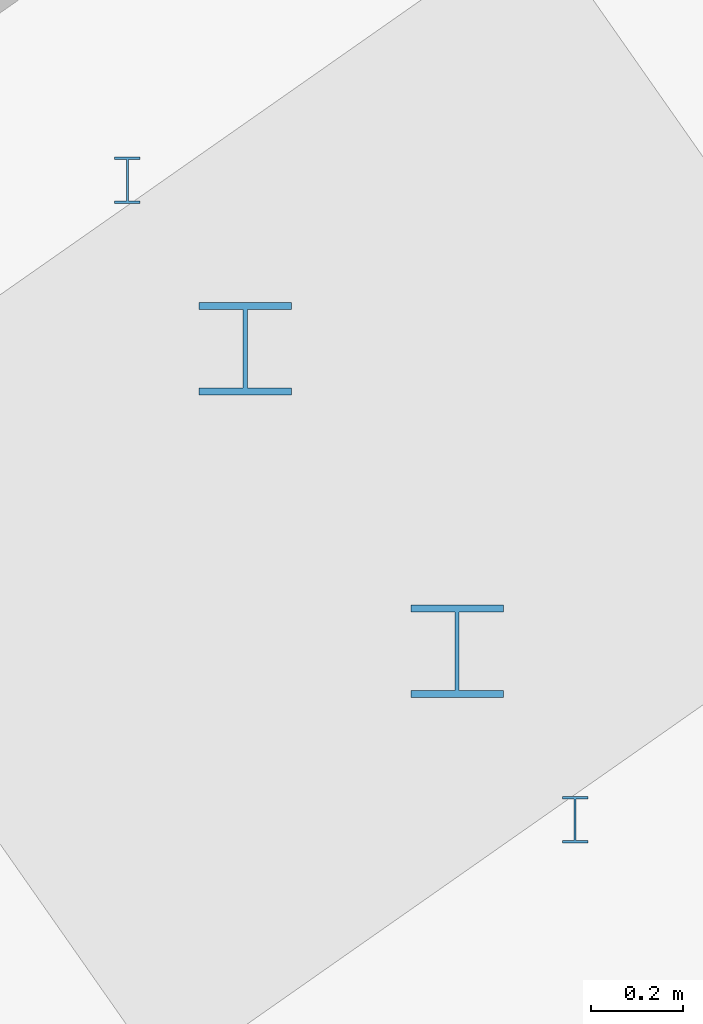
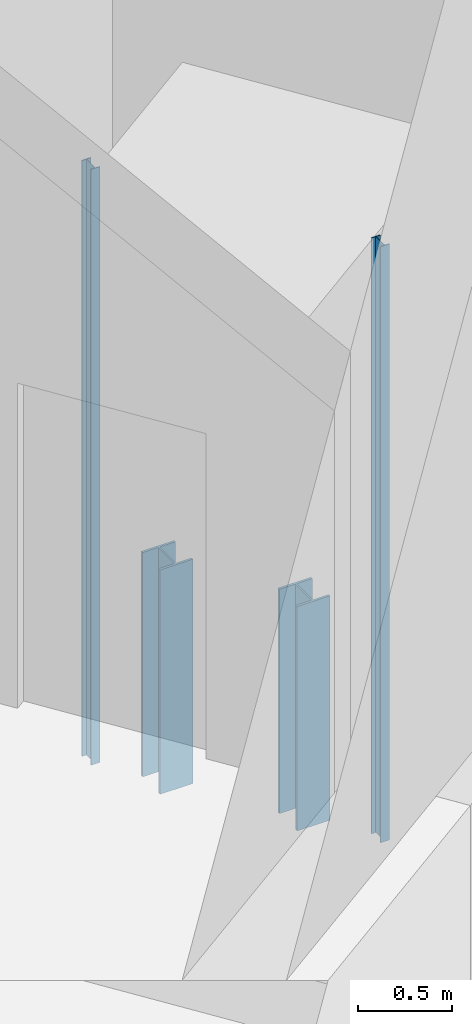
# One storey, part 27 of 65: 4 members.
"""IFC4 building model written with IfcOpenShell, lengths in metres."""

import ifcopenshell
import ifcopenshell.guid

model = None  # the IFC model being written
_history = None  # IfcOwnerHistory: only IFC2X3 demands one
_inside = {}  # id of a spatial element -> (the spatial element, [elements in it])
_under = {}  # id of a project, library or spatial element -> (it, [spatial elements below it])
_declared = {}  # id of a project -> (the project, [libraries it declares])
_typed = {}  # id of a type object -> (the type object, [elements of that type])
_made_of = {}  # id of a material, layer set ... -> (it, [elements and type objects made of it])


def new_model(schema):
    """Start an empty IFC model of exactly this schema.

    Asked for "IFC4X3", IfcOpenShell would pick the latest addendum, in which some entities
    have other attributes; the version numbers below select the first issue.
    IFC2X3 requires an IfcOwnerHistory on every rooted entity: one is made here for all.
    """
    global model, _history
    if schema == "IFC4X3":
        model = ifcopenshell.file(schema_version=(4, 3, 0, 0))
    else:
        model = ifcopenshell.file(schema=schema)
    _inside.clear()
    _under.clear()
    _declared.clear()
    _typed.clear()
    _made_of.clear()
    _history = None
    if model.schema == "IFC2X3":
        org = make("IfcOrganization", Name="unknown")
        user = make(
            "IfcPersonAndOrganization",
            ThePerson=make("IfcPerson", FamilyName="unknown"),
            TheOrganization=org,
        )
        app = make(
            "IfcApplication",
            ApplicationDeveloper=org,
            Version="unknown",
            ApplicationFullName="unknown",
            ApplicationIdentifier="unknown",
        )
        _history = make(
            "IfcOwnerHistory",
            OwningUser=user,
            OwningApplication=app,
            ChangeAction="ADDED",
            CreationDate=0,
        )
    return model


def make(cls, **values):
    """One entity of the class cls with the attributes given. An attribute that is None is left unset."""
    return model.create_entity(
        cls, **{name: value for name, value in values.items() if value is not None}
    )


def rooted(cls, **values):
    """An entity with a GlobalId (a new one), such as an element, a storey or a relation."""
    return make(cls, GlobalId=ifcopenshell.guid.new(), OwnerHistory=_history, **values)


def si_unit(unit_type, name, prefix=None):
    """IfcSIUnit, for example si_unit("LENGTHUNIT", "METRE", prefix="MILLI")."""
    return make("IfcSIUnit", UnitType=unit_type, Prefix=prefix, Name=name)


def assignment(units):
    """IfcUnitAssignment: the units of a project."""
    return None if units is None else make("IfcUnitAssignment", Units=units)


def point(xyz):
    """IfcCartesianPoint."""
    return None if xyz is None else make("IfcCartesianPoint", Coordinates=xyz)


def direction(xyz):
    """IfcDirection."""
    return None if xyz is None else make("IfcDirection", DirectionRatios=xyz)


def frame(location, z_axis=None, x_axis=None):
    """IfcAxis2Placement3D, a coordinate frame: its origin and axes. An axis left out is left unset."""
    return make(
        "IfcAxis2Placement3D",
        Location=point(location),
        Axis=direction(z_axis),
        RefDirection=direction(x_axis),
    )


def frame_2d(location, x_axis=None):
    """IfcAxis2Placement2D, a coordinate frame in the plane: its origin and x axis."""
    return make(
        "IfcAxis2Placement2D", Location=point(location), RefDirection=direction(x_axis)
    )


def origin():
    """The frame at (0, 0, 0) with its axes left unset."""
    return frame((0.0, 0.0, 0.0))


def origin_2d():
    """The frame at (0, 0) in the plane with its x axis left unset."""
    return frame_2d((0.0, 0.0))


def place(relative_to, where):
    """IfcLocalPlacement: puts the frame where relative to a parent placement (None: the world)."""
    return make(
        "IfcLocalPlacement", PlacementRelTo=relative_to, RelativePlacement=where
    )


def context(
    kind, dimensions, precision=None, world=None, true_north=None, identifier=None
):
    """IfcGeometricRepresentationContext, for example the 3D "Model" context."""
    return make(
        "IfcGeometricRepresentationContext",
        ContextIdentifier=identifier,
        ContextType=kind,
        CoordinateSpaceDimension=dimensions,
        Precision=precision,
        WorldCoordinateSystem=world,
        TrueNorth=true_north,
    )


def subcontext(parent, identifier, kind, view, scale=None):
    """IfcGeometricRepresentationSubContext, for example "Body" below "Model"."""
    return make(
        "IfcGeometricRepresentationSubContext",
        ContextIdentifier=identifier,
        ContextType=kind,
        ParentContext=parent,
        TargetScale=scale,
        TargetView=view,
    )


def project(units=None, contexts=None):
    """IfcProject with its units and contexts."""
    return rooted(
        "IfcProject",
        Name="project",
        RepresentationContexts=contexts,
        UnitsInContext=assignment(units),
    )


def spatial(cls, under=None, at=None, **own):
    """A site, building, storey or space (cls), placed at a placement, below another one or the project."""
    s = rooted(cls, ObjectPlacement=at, **own)
    if under is not None:
        _under.setdefault(under.id(), (under, []))[1].append(s)
    return s


def profile(cls, at=None, kind="AREA", **sizes):
    """A parametric profile (cls). Its sizes go by their IFC names, for example OverallWidth=200.0."""
    return make(cls, ProfileType=kind, Position=at, **sizes)


def i_section(**sizes):
    """IfcIShapeProfileDef."""
    return profile("IfcIShapeProfileDef", **sizes)


def extrude(swept, where, along, depth):
    """IfcExtrudedAreaSolid: the profile swept, set in the frame where, extruded along a direction by depth."""
    return make(
        "IfcExtrudedAreaSolid",
        SweptArea=swept,
        Position=where,
        ExtrudedDirection=direction(along),
        Depth=depth,
    )


def shape(context_of_items, identifier, shape_type, items):
    """IfcShapeRepresentation: the items that make up one representation, for example the "Body"."""
    return make(
        "IfcShapeRepresentation",
        ContextOfItems=context_of_items,
        RepresentationIdentifier=identifier,
        RepresentationType=shape_type,
        Items=items,
    )


def material(Name=None, Category=None):
    """IfcMaterial."""
    return make("IfcMaterial", Name=Name, Category=Category)


def material_profile(
    of_material, cross_section, Name=None, Category=None, Priority=None
):
    """IfcMaterialProfile: a cross section and its material."""
    return make(
        "IfcMaterialProfile",
        Name=Name,
        Material=of_material,
        Profile=cross_section,
        Priority=Priority,
        Category=Category,
    )


def profile_set(profiles, Name=None, composite=None):
    """IfcMaterialProfileSet."""
    return make(
        "IfcMaterialProfileSet",
        Name=Name,
        MaterialProfiles=profiles,
        CompositeProfile=composite,
    )


def made_of(thing, what):
    """Note that an element or type object is made of a material, layer set ...; save() writes the relation."""
    if what is not None:
        _made_of.setdefault(what.id(), (what, []))[1].append(thing)
    return thing


def type_object(cls, material=None, **own):
    """A type object (cls), such as IfcWallType, which elements share."""
    return made_of(rooted(cls, **own), material)


def element(
    cls,
    number,
    at=None,
    inside=None,
    cuts=None,
    type_object=None,
    material=None,
    context=None,
    identifier="Body",
    shape_type=None,
    held_by="IfcProductDefinitionShape",
    body=None,
    shapes=None,
    **own,
):
    """One element of the class cls, such as IfcWall. Its Tag is "e" and its number.

    at: its placement. inside: the storey or other place that contains it. cuts: it is an
    opening in that element (IfcRelVoidsElement). A single representation is given by context,
    identifier, shape_type and body (its items); several are given by shapes. held_by: the class
    of the entity that holds the representations. save() writes the other relations.
    """
    e = rooted(cls, Tag="e%d" % number, ObjectPlacement=at, **own)
    if body is not None:
        shapes = [shape(context, identifier, shape_type, body)]
    if shapes is not None:
        e.Representation = make(held_by, Representations=shapes)
    if inside is not None:
        _inside.setdefault(inside.id(), (inside, []))[1].append(e)
    if cuts is not None:
        rooted(
            "IfcRelVoidsElement", RelatingBuildingElement=cuts, RelatedOpeningElement=e
        )
    if type_object is not None:
        _typed.setdefault(type_object.id(), (type_object, []))[1].append(e)
    return made_of(e, material)


def aggregate(whole, parts):
    """IfcRelAggregates: a whole, such as a stair, and the parts it consists of."""
    return rooted("IfcRelAggregates", RelatingObject=whole, RelatedObjects=parts)


def save(model, path):
    """Write the relations noted so far, then the file.

    IfcRelAggregates (storeys below a building ...), IfcRelContainedInSpatialStructure (elements
    in a storey), IfcRelDefinesByType, IfcRelAssociatesMaterial and IfcRelDeclares: one each for
    every whole, place, type object, material and project.
    """
    for whole, parts in _under.values():
        aggregate(whole, parts)
    for where, things in _inside.values():
        rooted(
            "IfcRelContainedInSpatialStructure",
            RelatedElements=things,
            RelatingStructure=where,
        )
    for kind, things in _typed.values():
        rooted("IfcRelDefinesByType", RelatedObjects=things, RelatingType=kind)
    for what, things in _made_of.values():
        rooted("IfcRelAssociatesMaterial", RelatedObjects=things, RelatingMaterial=what)
    for by, libraries in _declared.values():
        rooted("IfcRelDeclares", RelatingContext=by, RelatedDefinitions=libraries)
    model.write(path)


model = new_model("IFC4")

# Units and contexts
model_context = context("Model", 3, precision=1e-05, world=origin(), true_north=direction((0.0, 1.0)))
body_context = subcontext(model_context, "Body", "Model", "MODEL_VIEW")
ifc_project = project(units=[si_unit("LENGTHUNIT", "METRE"), si_unit("AREAUNIT", "SQUARE_METRE"), si_unit("VOLUMEUNIT", "CUBIC_METRE"), si_unit("PLANEANGLEUNIT", "RADIAN"), si_unit("MASSUNIT", "GRAM", prefix="KILO")], contexts=[model_context])

# Site, building, storey
site_placement = place(None, origin())
site = spatial("IfcSite", under=ifc_project, at=site_placement, CompositionType="ELEMENT")
building_placement = place(site_placement, origin())
building = spatial("IfcBuilding", under=site, at=building_placement, Name="Volute Hill Aquarium", CompositionType="ELEMENT")
storey_placement = place(building_placement, frame((0.0, 0.0, -5.5)))
storey = spatial("IfcBuildingStorey", under=building, at=storey_placement, Name="L00", CompositionType="ELEMENT", Elevation=-5.5)

# Members
ifc_material_1 = material(Name="Steel S355", Category="steel")
ifc_material_profile_1 = material_profile(ifc_material_1, i_section(OverallWidth=0.199951171875, OverallDepth=0.199951171875, WebThickness=0.009033203125, FlangeThickness=0.014892578125, at=origin_2d()), Name="HEB 200")
ifc_profile_set_1 = profile_set([ifc_material_profile_1], Name="Steel S355")
member_type_1 = type_object("IfcMemberType", Name="Lift buffer HEB 200", PredefinedType="POST", material=ifc_profile_set_1)
for number, where, z_axis, x_axis, name in (
    (1, (36.312744140625, 26.769287109375, -1.39990234375), (0.0, 0.0, 1.0), (1.0, 0.0, 0.0), "LB-S5-A 1"),
    (2, (35.85400390625, 27.4248046875, -1.39990234375), (0.0, 0.0, 1.0), (1.0, 0.0, 0.0), "LB-S5-A 2"),
):
    element("IfcMember", number, at=place(storey_placement, frame(where, z_axis=z_axis, x_axis=x_axis)), inside=storey, type_object=member_type_1, Name=name, PredefinedType="POST", context=body_context, shape_type="SweptSolid", body=[
        extrude(i_section(OverallWidth=0.199951171875, OverallDepth=0.199951171875, WebThickness=0.009033203125, FlangeThickness=0.014892578125, at=origin_2d()), origin(), (0.0, 0.0, 1.0), 1.449951171875),
    ])
ifc_material_2 = material(Name="Steel S355", Category="steel")
ifc_material_profile_2 = material_profile(ifc_material_2, i_section(OverallWidth=0.054931640625, OverallDepth=0.10009765625, WebThickness=0.004150390625, FlangeThickness=0.005615234375, at=origin_2d()), Name="IPE 100")
ifc_profile_set_2 = profile_set([ifc_material_profile_2], Name="Steel S355")
member_type_2 = type_object("IfcMemberType", Name="Lift guide rail IPE 100", PredefinedType="POST", material=ifc_profile_set_2)
for number, where, z_axis, x_axis, name in (
    (3, (36.568115234375, 26.40478515625, -1.39990234375), (0.0, 0.0, 1.0), (1.0, 0.0, 0.0), "LR-S5-A 1"),
    (4, (35.5986328125, 27.789306640625, -1.39990234375), (0.0, 0.0, 1.0), (1.0, 0.0, 0.0), "LR-S5-A 2"),
):
    element("IfcMember", number, at=place(storey_placement, frame(where, z_axis=z_axis, x_axis=x_axis)), inside=storey, type_object=member_type_2, Name=name, PredefinedType="POST", context=body_context, shape_type="SweptSolid", body=[
        extrude(i_section(OverallWidth=0.054931640625, OverallDepth=0.10009765625, WebThickness=0.004150390625, FlangeThickness=0.005615234375, at=origin_2d()), origin(), (0.0, 0.0, 1.0), 3.849853515625),
    ])

save(model, "model.ifc")
